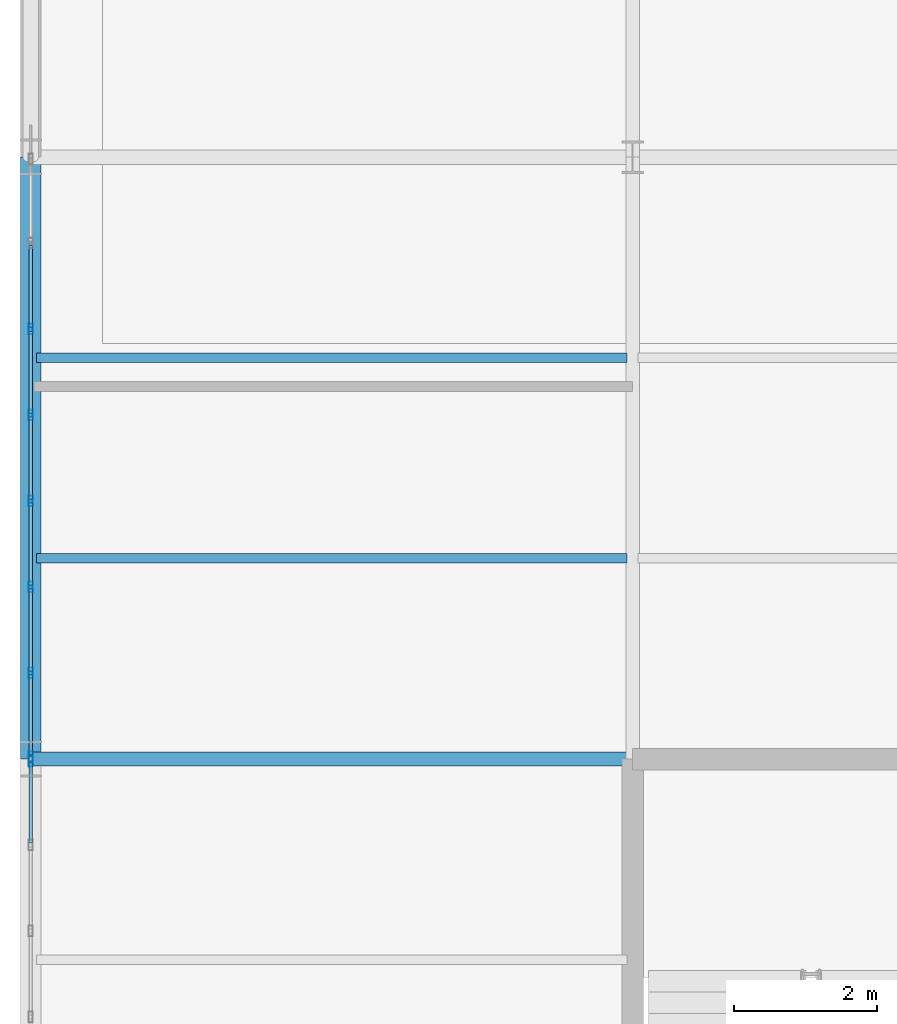
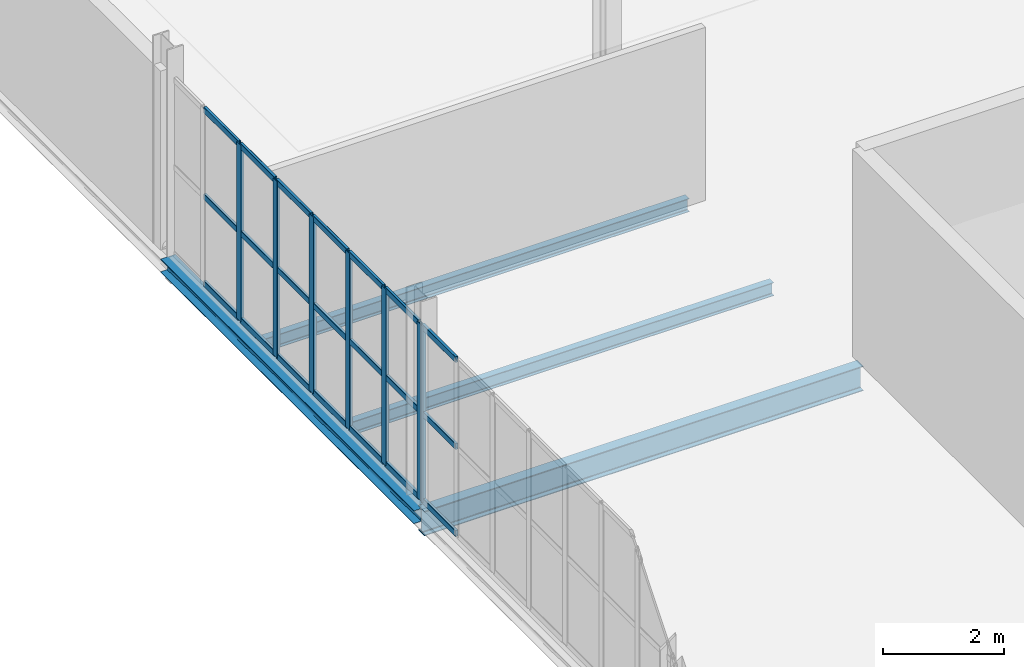
# One storey, part 20 of 69: 28 members, 4 beams, 2 elements without a shape of their own.
"""IFC4 building model written with IfcOpenShell, lengths in metres."""

from ifc_helpers import new_model, si_unit, direction, frame, origin, origin_2d, place, context, subcontext, project, spatial, hollow_rectangle, i_section, extrude, material, layer, layer_set, material_profile, profile_set, type_object, element, aggregate, save


model = new_model("IFC4")

# Units and contexts
model_context = context("Model", 3, precision=1e-05, world=origin(), true_north=direction((0.0, 1.0)))
body_context = subcontext(model_context, "Body", "Model", "MODEL_VIEW")
ifc_project = project(units=[si_unit("LENGTHUNIT", "METRE"), si_unit("AREAUNIT", "SQUARE_METRE"), si_unit("VOLUMEUNIT", "CUBIC_METRE"), si_unit("PLANEANGLEUNIT", "RADIAN"), si_unit("MASSUNIT", "GRAM", prefix="KILO")], contexts=[model_context])

# Site, building, storey
site_placement = place(None, origin())
site = spatial("IfcSite", under=ifc_project, at=site_placement, CompositionType="ELEMENT")
building_placement = place(site_placement, origin())
building = spatial("IfcBuilding", under=site, at=building_placement, Name="Qalvenar Corner Mobility Hub", CompositionType="ELEMENT")
storey_placement = place(building_placement, frame((0.0, 0.0, 13.199951171875)))
storey = spatial("IfcBuildingStorey", under=building, at=storey_placement, Name="L03", CompositionType="ELEMENT", Elevation=13.199951171875)

# Beams
ifc_material_1 = material(Name="Steel S355", Category="steel")
ifc_material_profile_1 = material_profile(ifc_material_1, i_section(OverallWidth=0.199951171875, OverallDepth=0.5, WebThickness=0.01025390625, FlangeThickness=0.01611328125, FilletRadius=0.02099609375, at=origin_2d()), Name="IPE500")
ifc_profile_set_1 = profile_set([ifc_material_profile_1], Name="Steel S355")
beam_type_1 = type_object("IfcBeamType", Name="BM-IPE500", PredefinedType="BEAM", material=ifc_profile_set_1)
beam_1_placement = place(storey_placement, frame((0.0, 16.800048828125, -0.429931640625), z_axis=(1.0, 0.0, 0.0), x_axis=(0.0, 1.0, 0.0)))
element("IfcBeam", 1, at=beam_1_placement, inside=storey, type_object=beam_type_1, Name="Primary Steel Girder GX-2200", PredefinedType="BEAM", context=body_context, shape_type="SweptSolid", body=[
    extrude(i_section(OverallWidth=0.199951171875, OverallDepth=0.5, WebThickness=0.01025390625, FlangeThickness=0.01611328125, FilletRadius=0.02099609375, at=origin_2d()), origin(), (0.0, 0.0, 1.0), 8.39990234375),
])
ifc_material_profile_2 = material_profile(ifc_material_1, i_section(OverallWidth=0.135009765625, OverallDepth=0.27001953125, WebThickness=0.006591796875, FlangeThickness=0.01025390625, FilletRadius=0.014892578125, at=origin_2d()), Name="IPE270")
ifc_profile_set_2 = profile_set([ifc_material_profile_2], Name="Steel S355")
beam_type_2 = type_object("IfcBeamType", Name="BM-JST270", PredefinedType="JOIST", material=ifc_profile_set_2)
for number, where, z_axis, x_axis, name in (
    (2, (0.077880859375, 19.60009765625, -0.31494140625), (1.0, 0.0, 0.0), (0.0, 1.0, 0.0), "Composite Floor Joist J-2264"),
    (3, (0.077880859375, 22.39990234375, -0.31494140625), (1.0, 0.0, 0.0), (0.0, 1.0, 0.0), "Composite Floor Joist J-2265"),
):
    element("IfcBeam", number, at=place(storey_placement, frame(where, z_axis=z_axis, x_axis=x_axis)), inside=storey, type_object=beam_type_2, Name=name, PredefinedType="JOIST", context=body_context, shape_type="SweptSolid", body=[
        extrude(i_section(OverallWidth=0.135009765625, OverallDepth=0.27001953125, WebThickness=0.006591796875, FlangeThickness=0.01025390625, FilletRadius=0.014892578125, at=origin_2d()), origin(), (0.0, 0.0, 1.0), 8.244140625),
    ])
ifc_material_profile_3 = material_profile(ifc_material_1, i_section(OverallWidth=0.280029296875, OverallDepth=0.27001953125, WebThickness=0.008056640625, FlangeThickness=0.012939453125, FilletRadius=0.02392578125, at=origin_2d()), Name="HEA280")
ifc_profile_set_3 = profile_set([ifc_material_profile_3], Name="Steel S355")
beam_type_3 = type_object("IfcBeamType", Name="BM-SPN280", PredefinedType="SPANDREL", material=ifc_profile_set_3)
beam_2_placement = place(storey_placement, frame((0.0, 16.800048828125, -0.31494140625), z_axis=(0.0, 1.0, 0.0), x_axis=(-1.0, 0.0, 0.0)))
element("IfcBeam", 4, at=beam_2_placement, inside=storey, type_object=beam_type_3, Name="Primary Steel Girder GY-2226", PredefinedType="SPANDREL", context=body_context, shape_type="SweptSolid", body=[
    extrude(i_section(OverallWidth=0.280029296875, OverallDepth=0.27001953125, WebThickness=0.008056640625, FlangeThickness=0.012939453125, FilletRadius=0.02392578125, at=origin_2d()), origin(), (0.0, 0.0, 1.0), 8.39990234375),
])

# Curtain wall, member
ifc_material_2 = material(Name="Anodised Aluminium and Low-E Glazing", Category="aluminium")
ifc_layer = layer(ifc_material_2, 0.14990234375)
ifc_layer_set = layer_set([ifc_layer], Name="Anodised Aluminium and Low-E Glazing")
curtain_wall_type = type_object("IfcCurtainWallType", Name="CW-CIV-84X40", PredefinedType="NOTDEFINED", material=ifc_layer_set)
curtain_wall_1_placement = place(storey_placement, origin())
curtain_wall_1 = element("IfcCurtainWall", 5, at=curtain_wall_1_placement, inside=storey, type_object=curtain_wall_type, Name="Glazed Curtain Wall CW-V3-L03-W1", PredefinedType="NOTDEFINED")
ifc_material_3 = material(Name="Anodised Aluminium 6063-T6", Category="aluminium")
ifc_material_profile_4 = material_profile(ifc_material_3, hollow_rectangle(XDim=0.06005859375, YDim=0.14990234375, WallThickness=0.00390625, InnerFilletRadius=0.00390625, OuterFilletRadius=0.008056640625, at=origin_2d()), Name="RHS150x60x4")
ifc_profile_set_4 = profile_set([ifc_material_profile_4], Name="Anodised Aluminium 6063-T6")
member_type_1 = type_object("IfcMemberType", Name="CW-MUL150", PredefinedType="MULLION", material=ifc_profile_set_4)
member_1_placement = place(storey_placement, frame((0.0, 16.77001953125, 0.0), z_axis=(0.0, 0.0, 1.0), x_axis=(1.0, 0.0, 0.0)))
member_1 = element("IfcMember", 6, at=member_1_placement, type_object=member_type_1, Name="CW-05 mullion 1", PredefinedType="MULLION", context=body_context, shape_type="SweptSolid", body=[
    extrude(hollow_rectangle(XDim=0.06005859375, YDim=0.14990234375, WallThickness=0.00390625, InnerFilletRadius=0.00390625, OuterFilletRadius=0.008056640625, at=origin_2d()), origin(), (0.0, 0.0, 1.0), 3.570068359375),
])

# Curtain wall, members
curtain_wall_2_placement = place(storey_placement, origin())
curtain_wall_2 = element("IfcCurtainWall", 7, at=curtain_wall_2_placement, inside=storey, type_object=curtain_wall_type, Name="Glazed Curtain Wall CW-V3-L03-W2", PredefinedType="NOTDEFINED")
member_2_placement = place(storey_placement, frame((0.0, 22.800048828125, 0.0), z_axis=(0.0, 0.0, 1.0), x_axis=(1.0, 0.0, 0.0)))
member_2 = element("IfcMember", 8, at=member_2_placement, type_object=member_type_1, Name="CW-05 mullion 3", PredefinedType="MULLION", context=body_context, shape_type="SweptSolid", body=[
    extrude(hollow_rectangle(XDim=0.06005859375, YDim=0.14990234375, WallThickness=0.00390625, InnerFilletRadius=0.00390625, OuterFilletRadius=0.008056640625, at=origin_2d()), origin(), (0.0, 0.0, 1.0), 3.570068359375),
])
member_3_placement = place(storey_placement, frame((0.0, 21.60009765625, 0.0), z_axis=(0.0, 0.0, 1.0), x_axis=(1.0, 0.0, 0.0)))
member_3 = element("IfcMember", 9, at=member_3_placement, type_object=member_type_1, Name="CW-05 mullion 4", PredefinedType="MULLION", context=body_context, shape_type="SweptSolid", body=[
    extrude(hollow_rectangle(XDim=0.06005859375, YDim=0.14990234375, WallThickness=0.00390625, InnerFilletRadius=0.00390625, OuterFilletRadius=0.008056640625, at=origin_2d()), origin(), (0.0, 0.0, 1.0), 3.570068359375),
])
member_4_placement = place(storey_placement, frame((0.0, 20.39990234375, 0.0), z_axis=(0.0, 0.0, 1.0), x_axis=(1.0, 0.0, 0.0)))
member_4 = element("IfcMember", 10, at=member_4_placement, type_object=member_type_1, Name="CW-05 mullion 5", PredefinedType="MULLION", context=body_context, shape_type="SweptSolid", body=[
    extrude(hollow_rectangle(XDim=0.06005859375, YDim=0.14990234375, WallThickness=0.00390625, InnerFilletRadius=0.00390625, OuterFilletRadius=0.008056640625, at=origin_2d()), origin(), (0.0, 0.0, 1.0), 3.570068359375),
])
member_5_placement = place(storey_placement, frame((0.0, 19.199951171875, 0.0), z_axis=(0.0, 0.0, 1.0), x_axis=(1.0, 0.0, 0.0)))
member_5 = element("IfcMember", 11, at=member_5_placement, type_object=member_type_1, Name="CW-05 mullion 6", PredefinedType="MULLION", context=body_context, shape_type="SweptSolid", body=[
    extrude(hollow_rectangle(XDim=0.06005859375, YDim=0.14990234375, WallThickness=0.00390625, InnerFilletRadius=0.00390625, OuterFilletRadius=0.008056640625, at=origin_2d()), origin(), (0.0, 0.0, 1.0), 3.570068359375),
])
member_6_placement = place(storey_placement, frame((0.0, 18.0, 0.0), z_axis=(0.0, 0.0, 1.0), x_axis=(1.0, 0.0, 0.0)))
member_6 = element("IfcMember", 12, at=member_6_placement, type_object=member_type_1, Name="CW-05 mullion 7", PredefinedType="MULLION", context=body_context, shape_type="SweptSolid", body=[
    extrude(hollow_rectangle(XDim=0.06005859375, YDim=0.14990234375, WallThickness=0.00390625, InnerFilletRadius=0.00390625, OuterFilletRadius=0.008056640625, at=origin_2d()), origin(), (0.0, 0.0, 1.0), 3.570068359375),
])
member_7_placement = place(storey_placement, frame((0.0, 16.830078125, 0.0), z_axis=(0.0, 0.0, 1.0), x_axis=(1.0, 0.0, 0.0)))
member_7 = element("IfcMember", 13, at=member_7_placement, type_object=member_type_1, Name="CW-05 mullion 8", PredefinedType="MULLION", context=body_context, shape_type="SweptSolid", body=[
    extrude(hollow_rectangle(XDim=0.06005859375, YDim=0.14990234375, WallThickness=0.00390625, InnerFilletRadius=0.00390625, OuterFilletRadius=0.008056640625, at=origin_2d()), origin(), (0.0, 0.0, 1.0), 3.570068359375),
])

# Member
ifc_material_profile_5 = material_profile(ifc_material_3, hollow_rectangle(XDim=0.054931640625, YDim=0.1201171875, WallThickness=0.00341796875, InnerFilletRadius=0.00341796875, OuterFilletRadius=0.007080078125, at=origin_2d()), Name="RHS120x55x3.5")
ifc_profile_set_5 = profile_set([ifc_material_profile_5], Name="Anodised Aluminium 6063-T6")
member_type_2 = type_object("IfcMemberType", Name="CW-TRN120", PredefinedType="USERDEFINED", material=ifc_profile_set_5)
member_8_placement = place(storey_placement, frame((0.0, 16.739990234375, 0.027587890625), z_axis=(0.0, -1.0, 0.0), x_axis=(1.0, 0.0, 0.0)))
member_8 = element("IfcMember", 14, at=member_8_placement, type_object=member_type_2, Name="CW-05 transom 1.1", ObjectType="TRANSOM", PredefinedType="USERDEFINED", context=body_context, shape_type="SweptSolid", body=[
    extrude(hollow_rectangle(XDim=0.054931640625, YDim=0.1201171875, WallThickness=0.00341796875, InnerFilletRadius=0.00341796875, OuterFilletRadius=0.007080078125, at=origin_2d()), origin(), (0.0, 0.0, 1.0), 1.110107421875),
])

member_9_placement = place(storey_placement, frame((0.0, 16.739990234375, 1.78515625), z_axis=(0.0, -1.0, 0.0), x_axis=(1.0, 0.0, 0.0)))
member_9 = element("IfcMember", 15, at=member_9_placement, type_object=member_type_2, Name="CW-05 transom 1.2", ObjectType="TRANSOM", PredefinedType="USERDEFINED", context=body_context, shape_type="SweptSolid", body=[
    extrude(hollow_rectangle(XDim=0.054931640625, YDim=0.1201171875, WallThickness=0.00341796875, InnerFilletRadius=0.00341796875, OuterFilletRadius=0.007080078125, at=origin_2d()), origin(), (0.0, 0.0, 1.0), 1.110107421875),
])

member_10_placement = place(storey_placement, frame((0.0, 16.739990234375, 3.54248046875), z_axis=(0.0, -1.0, 0.0), x_axis=(1.0, 0.0, 0.0)))
member_10 = element("IfcMember", 16, at=member_10_placement, type_object=member_type_2, Name="CW-05 transom 1.3", ObjectType="TRANSOM", PredefinedType="USERDEFINED", context=body_context, shape_type="SweptSolid", body=[
    extrude(hollow_rectangle(XDim=0.054931640625, YDim=0.1201171875, WallThickness=0.00341796875, InnerFilletRadius=0.00341796875, OuterFilletRadius=0.007080078125, at=origin_2d()), origin(), (0.0, 0.0, 1.0), 1.110107421875),
])

aggregate(curtain_wall_1, [member_1, member_8, member_9, member_10])

member_11_placement = place(storey_placement, frame((0.0, 23.969970703125, 0.027587890625), z_axis=(0.0, -1.0, 0.0), x_axis=(1.0, 0.0, 0.0)))
member_11 = element("IfcMember", 17, at=member_11_placement, type_object=member_type_2, Name="CW-05 transom 2.1", ObjectType="TRANSOM", PredefinedType="USERDEFINED", context=body_context, shape_type="SweptSolid", body=[
    extrude(hollow_rectangle(XDim=0.054931640625, YDim=0.1201171875, WallThickness=0.00341796875, InnerFilletRadius=0.00341796875, OuterFilletRadius=0.007080078125, at=origin_2d()), origin(), (0.0, 0.0, 1.0), 1.139892578125),
])

member_12_placement = place(storey_placement, frame((0.0, 23.969970703125, 1.78515625), z_axis=(0.0, -1.0, 0.0), x_axis=(1.0, 0.0, 0.0)))
member_12 = element("IfcMember", 18, at=member_12_placement, type_object=member_type_2, Name="CW-05 transom 2.2", ObjectType="TRANSOM", PredefinedType="USERDEFINED", context=body_context, shape_type="SweptSolid", body=[
    extrude(hollow_rectangle(XDim=0.054931640625, YDim=0.1201171875, WallThickness=0.00341796875, InnerFilletRadius=0.00341796875, OuterFilletRadius=0.007080078125, at=origin_2d()), origin(), (0.0, 0.0, 1.0), 1.139892578125),
])

member_13_placement = place(storey_placement, frame((0.0, 23.969970703125, 3.54248046875), z_axis=(0.0, -1.0, 0.0), x_axis=(1.0, 0.0, 0.0)))
member_13 = element("IfcMember", 19, at=member_13_placement, type_object=member_type_2, Name="CW-05 transom 2.3", ObjectType="TRANSOM", PredefinedType="USERDEFINED", context=body_context, shape_type="SweptSolid", body=[
    extrude(hollow_rectangle(XDim=0.054931640625, YDim=0.1201171875, WallThickness=0.00341796875, InnerFilletRadius=0.00341796875, OuterFilletRadius=0.007080078125, at=origin_2d()), origin(), (0.0, 0.0, 1.0), 1.139892578125),
])

member_14_placement = place(storey_placement, frame((0.0, 22.77001953125, 0.027587890625), z_axis=(0.0, -1.0, 0.0), x_axis=(1.0, 0.0, 0.0)))
member_14 = element("IfcMember", 20, at=member_14_placement, type_object=member_type_2, Name="CW-05 transom 3.1", ObjectType="TRANSOM", PredefinedType="USERDEFINED", context=body_context, shape_type="SweptSolid", body=[
    extrude(hollow_rectangle(XDim=0.054931640625, YDim=0.1201171875, WallThickness=0.00341796875, InnerFilletRadius=0.00341796875, OuterFilletRadius=0.007080078125, at=origin_2d()), origin(), (0.0, 0.0, 1.0), 1.14013671875),
])

member_15_placement = place(storey_placement, frame((0.0, 22.77001953125, 1.78515625), z_axis=(0.0, -1.0, 0.0), x_axis=(1.0, 0.0, 0.0)))
member_15 = element("IfcMember", 21, at=member_15_placement, type_object=member_type_2, Name="CW-05 transom 3.2", ObjectType="TRANSOM", PredefinedType="USERDEFINED", context=body_context, shape_type="SweptSolid", body=[
    extrude(hollow_rectangle(XDim=0.054931640625, YDim=0.1201171875, WallThickness=0.00341796875, InnerFilletRadius=0.00341796875, OuterFilletRadius=0.007080078125, at=origin_2d()), origin(), (0.0, 0.0, 1.0), 1.14013671875),
])

member_16_placement = place(storey_placement, frame((0.0, 22.77001953125, 3.54248046875), z_axis=(0.0, -1.0, 0.0), x_axis=(1.0, 0.0, 0.0)))
member_16 = element("IfcMember", 22, at=member_16_placement, type_object=member_type_2, Name="CW-05 transom 3.3", ObjectType="TRANSOM", PredefinedType="USERDEFINED", context=body_context, shape_type="SweptSolid", body=[
    extrude(hollow_rectangle(XDim=0.054931640625, YDim=0.1201171875, WallThickness=0.00341796875, InnerFilletRadius=0.00341796875, OuterFilletRadius=0.007080078125, at=origin_2d()), origin(), (0.0, 0.0, 1.0), 1.14013671875),
])

member_17_placement = place(storey_placement, frame((0.0, 21.570068359375, 0.027587890625), z_axis=(0.0, -1.0, 0.0), x_axis=(1.0, 0.0, 0.0)))
member_17 = element("IfcMember", 23, at=member_17_placement, type_object=member_type_2, Name="CW-05 transom 4.1", ObjectType="TRANSOM", PredefinedType="USERDEFINED", context=body_context, shape_type="SweptSolid", body=[
    extrude(hollow_rectangle(XDim=0.054931640625, YDim=0.1201171875, WallThickness=0.00341796875, InnerFilletRadius=0.00341796875, OuterFilletRadius=0.007080078125, at=origin_2d()), origin(), (0.0, 0.0, 1.0), 1.14013671875),
])

member_18_placement = place(storey_placement, frame((0.0, 21.570068359375, 1.78515625), z_axis=(0.0, -1.0, 0.0), x_axis=(1.0, 0.0, 0.0)))
member_18 = element("IfcMember", 24, at=member_18_placement, type_object=member_type_2, Name="CW-05 transom 4.2", ObjectType="TRANSOM", PredefinedType="USERDEFINED", context=body_context, shape_type="SweptSolid", body=[
    extrude(hollow_rectangle(XDim=0.054931640625, YDim=0.1201171875, WallThickness=0.00341796875, InnerFilletRadius=0.00341796875, OuterFilletRadius=0.007080078125, at=origin_2d()), origin(), (0.0, 0.0, 1.0), 1.14013671875),
])

member_19_placement = place(storey_placement, frame((0.0, 21.570068359375, 3.54248046875), z_axis=(0.0, -1.0, 0.0), x_axis=(1.0, 0.0, 0.0)))
member_19 = element("IfcMember", 25, at=member_19_placement, type_object=member_type_2, Name="CW-05 transom 4.3", ObjectType="TRANSOM", PredefinedType="USERDEFINED", context=body_context, shape_type="SweptSolid", body=[
    extrude(hollow_rectangle(XDim=0.054931640625, YDim=0.1201171875, WallThickness=0.00341796875, InnerFilletRadius=0.00341796875, OuterFilletRadius=0.007080078125, at=origin_2d()), origin(), (0.0, 0.0, 1.0), 1.14013671875),
])

member_20_placement = place(storey_placement, frame((0.0, 20.3701171875, 0.027587890625), z_axis=(0.0, -1.0, 0.0), x_axis=(1.0, 0.0, 0.0)))
member_20 = element("IfcMember", 26, at=member_20_placement, type_object=member_type_2, Name="CW-05 transom 5.1", ObjectType="TRANSOM", PredefinedType="USERDEFINED", context=body_context, shape_type="SweptSolid", body=[
    extrude(hollow_rectangle(XDim=0.054931640625, YDim=0.1201171875, WallThickness=0.00341796875, InnerFilletRadius=0.00341796875, OuterFilletRadius=0.007080078125, at=origin_2d()), origin(), (0.0, 0.0, 1.0), 1.14013671875),
])

member_21_placement = place(storey_placement, frame((0.0, 20.3701171875, 1.78515625), z_axis=(0.0, -1.0, 0.0), x_axis=(1.0, 0.0, 0.0)))
member_21 = element("IfcMember", 27, at=member_21_placement, type_object=member_type_2, Name="CW-05 transom 5.2", ObjectType="TRANSOM", PredefinedType="USERDEFINED", context=body_context, shape_type="SweptSolid", body=[
    extrude(hollow_rectangle(XDim=0.054931640625, YDim=0.1201171875, WallThickness=0.00341796875, InnerFilletRadius=0.00341796875, OuterFilletRadius=0.007080078125, at=origin_2d()), origin(), (0.0, 0.0, 1.0), 1.14013671875),
])

member_22_placement = place(storey_placement, frame((0.0, 20.3701171875, 3.54248046875), z_axis=(0.0, -1.0, 0.0), x_axis=(1.0, 0.0, 0.0)))
member_22 = element("IfcMember", 28, at=member_22_placement, type_object=member_type_2, Name="CW-05 transom 5.3", ObjectType="TRANSOM", PredefinedType="USERDEFINED", context=body_context, shape_type="SweptSolid", body=[
    extrude(hollow_rectangle(XDim=0.054931640625, YDim=0.1201171875, WallThickness=0.00341796875, InnerFilletRadius=0.00341796875, OuterFilletRadius=0.007080078125, at=origin_2d()), origin(), (0.0, 0.0, 1.0), 1.14013671875),
])

member_23_placement = place(storey_placement, frame((0.0, 19.169921875, 0.027587890625), z_axis=(0.0, -1.0, 0.0), x_axis=(1.0, 0.0, 0.0)))
member_23 = element("IfcMember", 29, at=member_23_placement, type_object=member_type_2, Name="CW-05 transom 6.1", ObjectType="TRANSOM", PredefinedType="USERDEFINED", context=body_context, shape_type="SweptSolid", body=[
    extrude(hollow_rectangle(XDim=0.054931640625, YDim=0.1201171875, WallThickness=0.00341796875, InnerFilletRadius=0.00341796875, OuterFilletRadius=0.007080078125, at=origin_2d()), origin(), (0.0, 0.0, 1.0), 1.139892578125),
])

member_24_placement = place(storey_placement, frame((0.0, 19.169921875, 1.78515625), z_axis=(0.0, -1.0, 0.0), x_axis=(1.0, 0.0, 0.0)))
member_24 = element("IfcMember", 30, at=member_24_placement, type_object=member_type_2, Name="CW-05 transom 6.2", ObjectType="TRANSOM", PredefinedType="USERDEFINED", context=body_context, shape_type="SweptSolid", body=[
    extrude(hollow_rectangle(XDim=0.054931640625, YDim=0.1201171875, WallThickness=0.00341796875, InnerFilletRadius=0.00341796875, OuterFilletRadius=0.007080078125, at=origin_2d()), origin(), (0.0, 0.0, 1.0), 1.139892578125),
])

member_25_placement = place(storey_placement, frame((0.0, 19.169921875, 3.54248046875), z_axis=(0.0, -1.0, 0.0), x_axis=(1.0, 0.0, 0.0)))
member_25 = element("IfcMember", 31, at=member_25_placement, type_object=member_type_2, Name="CW-05 transom 6.3", ObjectType="TRANSOM", PredefinedType="USERDEFINED", context=body_context, shape_type="SweptSolid", body=[
    extrude(hollow_rectangle(XDim=0.054931640625, YDim=0.1201171875, WallThickness=0.00341796875, InnerFilletRadius=0.00341796875, OuterFilletRadius=0.007080078125, at=origin_2d()), origin(), (0.0, 0.0, 1.0), 1.139892578125),
])

member_26_placement = place(storey_placement, frame((0.0, 17.969970703125, 0.027587890625), z_axis=(0.0, -1.0, 0.0), x_axis=(1.0, 0.0, 0.0)))
member_26 = element("IfcMember", 32, at=member_26_placement, type_object=member_type_2, Name="CW-05 transom 7.1", ObjectType="TRANSOM", PredefinedType="USERDEFINED", context=body_context, shape_type="SweptSolid", body=[
    extrude(hollow_rectangle(XDim=0.054931640625, YDim=0.1201171875, WallThickness=0.00341796875, InnerFilletRadius=0.00341796875, OuterFilletRadius=0.007080078125, at=origin_2d()), origin(), (0.0, 0.0, 1.0), 1.10986328125),
])

member_27_placement = place(storey_placement, frame((0.0, 17.969970703125, 1.78515625), z_axis=(0.0, -1.0, 0.0), x_axis=(1.0, 0.0, 0.0)))
member_27 = element("IfcMember", 33, at=member_27_placement, type_object=member_type_2, Name="CW-05 transom 7.2", ObjectType="TRANSOM", PredefinedType="USERDEFINED", context=body_context, shape_type="SweptSolid", body=[
    extrude(hollow_rectangle(XDim=0.054931640625, YDim=0.1201171875, WallThickness=0.00341796875, InnerFilletRadius=0.00341796875, OuterFilletRadius=0.007080078125, at=origin_2d()), origin(), (0.0, 0.0, 1.0), 1.10986328125),
])

member_28_placement = place(storey_placement, frame((0.0, 17.969970703125, 3.54248046875), z_axis=(0.0, -1.0, 0.0), x_axis=(1.0, 0.0, 0.0)))
member_28 = element("IfcMember", 34, at=member_28_placement, type_object=member_type_2, Name="CW-05 transom 7.3", ObjectType="TRANSOM", PredefinedType="USERDEFINED", context=body_context, shape_type="SweptSolid", body=[
    extrude(hollow_rectangle(XDim=0.054931640625, YDim=0.1201171875, WallThickness=0.00341796875, InnerFilletRadius=0.00341796875, OuterFilletRadius=0.007080078125, at=origin_2d()), origin(), (0.0, 0.0, 1.0), 1.10986328125),
])

aggregate(curtain_wall_2, [member_2, member_3, member_4, member_5, member_6, member_7, member_11, member_12, member_13, member_14, member_15, member_16, member_17, member_18, member_19, member_20, member_21, member_22, member_23, member_24, member_25, member_26, member_27, member_28])

save(model, "model.ifc")
